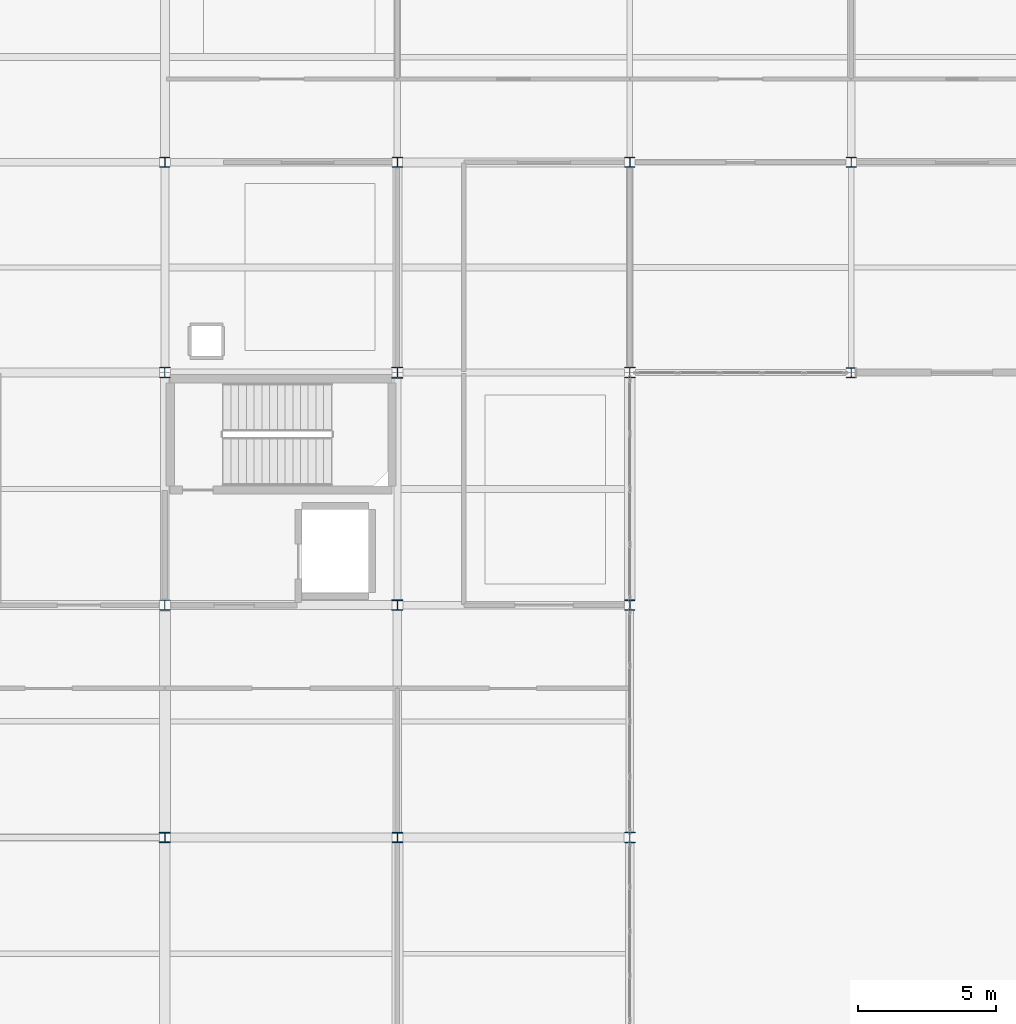
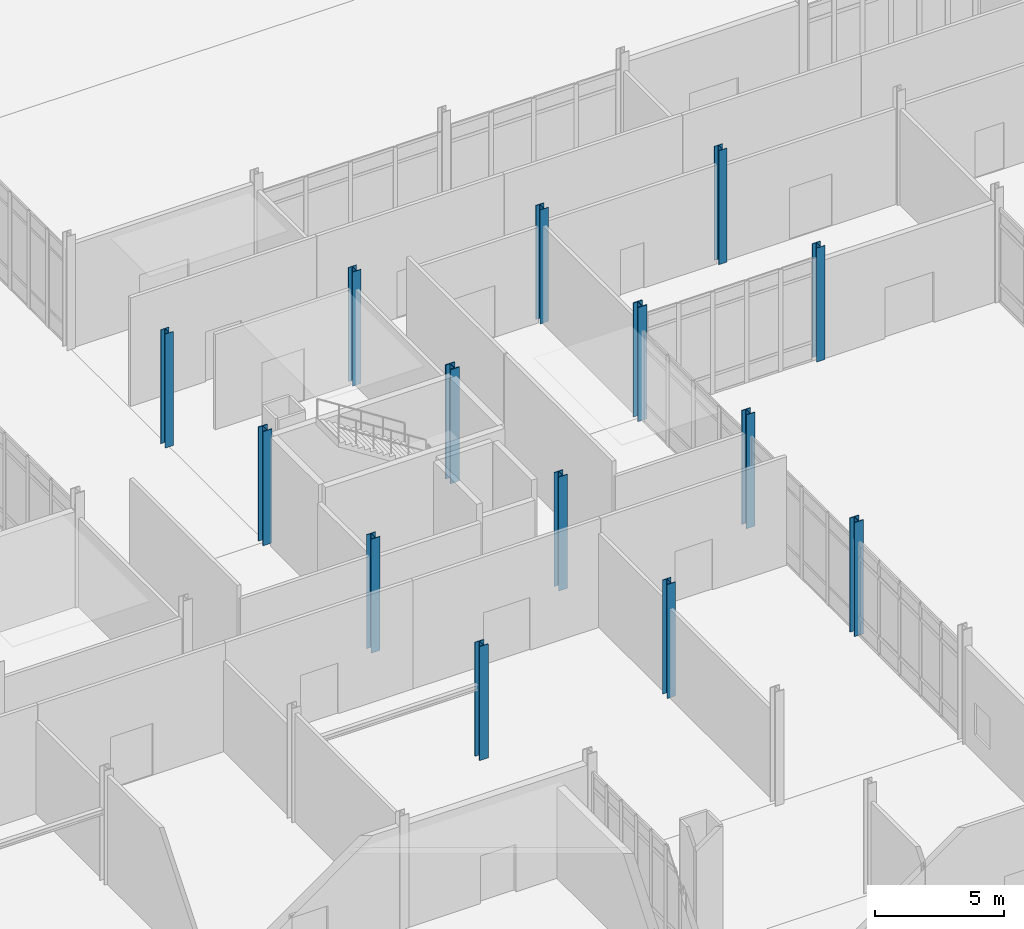
# One storey, part 6 of 229: 14 columns.
"""IFC4 building model written with IfcOpenShell, lengths in metres."""

from ifc_helpers import new_model, si_unit, direction, frame, origin, origin_2d, place, context, subcontext, project, spatial, i_section, extrude, material, material_profile, profile_set, type_object, element, save


model = new_model("IFC4")

# Units and contexts
model_context = context("Model", 3, precision=1e-05, world=origin(), true_north=direction((0.0, 1.0)))
body_context = subcontext(model_context, "Body", "Model", "MODEL_VIEW")
ifc_project = project(units=[si_unit("LENGTHUNIT", "METRE"), si_unit("AREAUNIT", "SQUARE_METRE"), si_unit("VOLUMEUNIT", "CUBIC_METRE"), si_unit("PLANEANGLEUNIT", "RADIAN"), si_unit("MASSUNIT", "GRAM", prefix="KILO")], contexts=[model_context])

# Site, building, storey
site_placement = place(None, origin())
site = spatial("IfcSite", under=ifc_project, at=site_placement, CompositionType="ELEMENT")
building_placement = place(site_placement, origin())
building = spatial("IfcBuilding", under=site, at=building_placement, Name="Calvrana Isthmian Art Gallery", CompositionType="ELEMENT")
storey_placement = place(building_placement, origin())
storey = spatial("IfcBuildingStorey", under=building, at=storey_placement, Name="L00", CompositionType="ELEMENT", Elevation=0.0)

# Columns
ifc_material = material(Name="Steel ASTM A992 Gr 50", Category="steel")
ifc_material_profile_1 = material_profile(ifc_material, i_section(OverallWidth=0.37109375, OverallDepth=0.363037109375, WebThickness=0.01318359375, FlangeThickness=0.021728515625, FilletRadius=0.02490234375, at=origin_2d()), Name="W14X109")
ifc_profile_set_1 = profile_set([ifc_material_profile_1], Name="Steel ASTM A992 Gr 50")
column_type_1 = type_object("IfcColumnType", Name="COL-STL-W14X109", PredefinedType="COLUMN", material=ifc_profile_set_1)
column_1_placement = place(storey_placement, frame((88.39990234375, 54.39990234375, 0.0), z_axis=(0.0, 0.0, 1.0), x_axis=(1.0, 0.0, 0.0)))
element("IfcColumn", 1, at=column_1_placement, inside=storey, type_object=column_type_1, Name="Column 12/H L00", PredefinedType="COLUMN", context=body_context, shape_type="SweptSolid", body=[
    extrude(i_section(OverallWidth=0.37109375, OverallDepth=0.363037109375, WebThickness=0.01318359375, FlangeThickness=0.021728515625, FilletRadius=0.02490234375, at=origin_2d()), origin(), (0.0, 0.0, 1.0), 5.39990234375),
])
ifc_material_profile_2 = material_profile(ifc_material, i_section(OverallWidth=0.373046875, OverallDepth=0.367919921875, WebThickness=0.014892578125, FlangeThickness=0.02392578125, FilletRadius=0.02490234375, at=origin_2d()), Name="W14X120")
ifc_profile_set_2 = profile_set([ifc_material_profile_2], Name="Steel ASTM A992 Gr 50")
column_type_2 = type_object("IfcColumnType", Name="COL-STL-W14X120", PredefinedType="COLUMN", material=ifc_profile_set_2)
column_2_placement = place(storey_placement, frame((80.39990234375, 54.39990234375, 0.0), z_axis=(0.0, 0.0, 1.0), x_axis=(1.0, 0.0, 0.0)))
element("IfcColumn", 2, at=column_2_placement, inside=storey, type_object=column_type_2, Name="Column 11/H L00", PredefinedType="COLUMN", context=body_context, shape_type="SweptSolid", body=[
    extrude(i_section(OverallWidth=0.373046875, OverallDepth=0.367919921875, WebThickness=0.014892578125, FlangeThickness=0.02392578125, FilletRadius=0.02490234375, at=origin_2d()), origin(), (0.0, 0.0, 1.0), 5.39990234375),
])
ifc_material_profile_3 = material_profile(ifc_material, i_section(OverallWidth=0.373046875, OverallDepth=0.373046875, WebThickness=0.016357421875, FlangeThickness=0.026123046875, FilletRadius=0.02490234375, at=origin_2d()), Name="W14X132")
ifc_profile_set_3 = profile_set([ifc_material_profile_3], Name="Steel ASTM A992 Gr 50")
column_type_3 = type_object("IfcColumnType", Name="COL-STL-W14X132", PredefinedType="COLUMN", material=ifc_profile_set_3)
for number, where, z_axis, x_axis, name in (
    (3, (72.0, 30.0, 0.0), (0.0, 0.0, 1.0), (1.0, 0.0, 0.0), "Column 10/E L00"),
    (4, (72.0, 54.39990234375, 0.0), (0.0, 0.0, 1.0), (1.0, 0.0, 0.0), "Column 10/H L00"),
    (5, (80.39990234375, 38.39990234375, 0.0), (0.0, 0.0, 1.0), (1.0, 0.0, 0.0), "Column 11/F L00"),
):
    element("IfcColumn", number, at=place(storey_placement, frame(where, z_axis=z_axis, x_axis=x_axis)), inside=storey, type_object=column_type_3, Name=name, PredefinedType="COLUMN", context=body_context, shape_type="SweptSolid", body=[
        extrude(i_section(OverallWidth=0.373046875, OverallDepth=0.373046875, WebThickness=0.016357421875, FlangeThickness=0.026123046875, FilletRadius=0.02490234375, at=origin_2d()), origin(), (0.0, 0.0, 1.0), 5.39990234375),
    ])
ifc_material_profile_4 = material_profile(ifc_material, i_section(OverallWidth=0.39404296875, OverallDepth=0.3759765625, WebThickness=0.017333984375, FlangeThickness=0.027587890625, FilletRadius=0.02490234375, at=origin_2d()), Name="W14X145")
ifc_profile_set_4 = profile_set([ifc_material_profile_4], Name="Steel ASTM A992 Gr 50")
column_type_4 = type_object("IfcColumnType", Name="COL-STL-W14X145", PredefinedType="COLUMN", material=ifc_profile_set_4)
for number, where, z_axis, x_axis, name in (
    (6, (63.60009765625, 30.0, 0.0), (0.0, 0.0, 1.0), (1.0, 0.0, 0.0), "Column 09/E L00"),
    (7, (72.0, 38.39990234375, 0.0), (0.0, 0.0, 1.0), (1.0, 0.0, 0.0), "Column 10/F L00"),
):
    element("IfcColumn", number, at=place(storey_placement, frame(where, z_axis=z_axis, x_axis=x_axis)), inside=storey, type_object=column_type_4, Name=name, PredefinedType="COLUMN", context=body_context, shape_type="SweptSolid", body=[
        extrude(i_section(OverallWidth=0.39404296875, OverallDepth=0.3759765625, WebThickness=0.017333984375, FlangeThickness=0.027587890625, FilletRadius=0.02490234375, at=origin_2d()), origin(), (0.0, 0.0, 1.0), 5.39990234375),
    ])
ifc_material_profile_5 = material_profile(ifc_material, i_section(OverallWidth=0.39599609375, OverallDepth=0.381103515625, WebThickness=0.018798828125, FlangeThickness=0.0302734375, FilletRadius=0.02490234375, at=origin_2d()), Name="W14X159")
ifc_profile_set_5 = profile_set([ifc_material_profile_5], Name="Steel ASTM A992 Gr 50")
column_type_5 = type_object("IfcColumnType", Name="COL-STL-W14X159", PredefinedType="COLUMN", material=ifc_profile_set_5)
column_3_placement = place(storey_placement, frame((63.60009765625, 38.39990234375, 0.0), z_axis=(0.0, 0.0, 1.0), x_axis=(1.0, 0.0, 0.0)))
element("IfcColumn", 8, at=column_3_placement, inside=storey, type_object=column_type_5, Name="Column 09/F L00", PredefinedType="COLUMN", context=body_context, shape_type="SweptSolid", body=[
    extrude(i_section(OverallWidth=0.39599609375, OverallDepth=0.381103515625, WebThickness=0.018798828125, FlangeThickness=0.0302734375, FilletRadius=0.02490234375, at=origin_2d()), origin(), (0.0, 0.0, 1.0), 5.39990234375),
])
ifc_material_profile_6 = material_profile(ifc_material, i_section(OverallWidth=0.39892578125, OverallDepth=0.385986328125, WebThickness=0.02099609375, FlangeThickness=0.033203125, FilletRadius=0.02490234375, at=origin_2d()), Name="W14X176")
ifc_profile_set_6 = profile_set([ifc_material_profile_6], Name="Steel ASTM A992 Gr 50")
column_type_6 = type_object("IfcColumnType", Name="COL-STL-W14X176", PredefinedType="COLUMN", material=ifc_profile_set_6)
column_4_placement = place(storey_placement, frame((80.39990234375, 30.0, 0.0), z_axis=(0.0, 0.0, 1.0), x_axis=(1.0, 0.0, 0.0)))
element("IfcColumn", 9, at=column_4_placement, inside=storey, type_object=column_type_6, Name="Column 11/E L00", PredefinedType="COLUMN", context=body_context, shape_type="SweptSolid", body=[
    extrude(i_section(OverallWidth=0.39892578125, OverallDepth=0.385986328125, WebThickness=0.02099609375, FlangeThickness=0.033203125, FilletRadius=0.02490234375, at=origin_2d()), origin(), (0.0, 0.0, 1.0), 5.39990234375),
])
ifc_material_profile_7 = material_profile(ifc_material, i_section(OverallWidth=0.39892578125, OverallDepth=0.39404296875, WebThickness=0.022705078125, FlangeThickness=0.03662109375, FilletRadius=0.02490234375, at=origin_2d()), Name="W14X193")
ifc_profile_set_7 = profile_set([ifc_material_profile_7], Name="Steel ASTM A992 Gr 50")
column_type_7 = type_object("IfcColumnType", Name="COL-STL-W14X193", PredefinedType="COLUMN", material=ifc_profile_set_7)
column_5_placement = place(storey_placement, frame((63.60009765625, 46.800048828125, 0.0), z_axis=(0.0, 0.0, 1.0), x_axis=(1.0, 0.0, 0.0)))
element("IfcColumn", 10, at=column_5_placement, inside=storey, type_object=column_type_7, Name="Column 09/G L00", PredefinedType="COLUMN", context=body_context, shape_type="SweptSolid", body=[
    extrude(i_section(OverallWidth=0.39892578125, OverallDepth=0.39404296875, WebThickness=0.022705078125, FlangeThickness=0.03662109375, FilletRadius=0.02490234375, at=origin_2d()), origin(), (0.0, 0.0, 1.0), 5.39990234375),
])
ifc_material_profile_8 = material_profile(ifc_material, i_section(OverallWidth=0.40087890625, OverallDepth=0.39892578125, WebThickness=0.02490234375, FlangeThickness=0.03955078125, FilletRadius=0.02490234375, at=origin_2d()), Name="W14X211")
ifc_profile_set_8 = profile_set([ifc_material_profile_8], Name="Steel ASTM A992 Gr 50")
column_type_8 = type_object("IfcColumnType", Name="COL-STL-W14X211", PredefinedType="COLUMN", material=ifc_profile_set_8)
column_6_placement = place(storey_placement, frame((80.39990234375, 46.800048828125, 0.0), z_axis=(0.0, 0.0, 1.0), x_axis=(1.0, 0.0, 0.0)))
element("IfcColumn", 11, at=column_6_placement, inside=storey, type_object=column_type_8, Name="Column 11/G L00", PredefinedType="COLUMN", context=body_context, shape_type="SweptSolid", body=[
    extrude(i_section(OverallWidth=0.40087890625, OverallDepth=0.39892578125, WebThickness=0.02490234375, FlangeThickness=0.03955078125, FilletRadius=0.02490234375, at=origin_2d()), origin(), (0.0, 0.0, 1.0), 5.39990234375),
])
ifc_material_profile_9 = material_profile(ifc_material, i_section(OverallWidth=0.406005859375, OverallDepth=0.4169921875, WebThickness=0.02978515625, FlangeThickness=0.048095703125, FilletRadius=0.02490234375, at=origin_2d()), Name="W14X257")
ifc_profile_set_9 = profile_set([ifc_material_profile_9], Name="Steel ASTM A992 Gr 50")
column_type_9 = type_object("IfcColumnType", Name="COL-STL-W14X257", PredefinedType="COLUMN", material=ifc_profile_set_9)
column_7_placement = place(storey_placement, frame((72.0, 46.800048828125, 0.0), z_axis=(0.0, 0.0, 1.0), x_axis=(1.0, 0.0, 0.0)))
element("IfcColumn", 12, at=column_7_placement, inside=storey, type_object=column_type_9, Name="Column 10/G L00", PredefinedType="COLUMN", context=body_context, shape_type="SweptSolid", body=[
    extrude(i_section(OverallWidth=0.406005859375, OverallDepth=0.4169921875, WebThickness=0.02978515625, FlangeThickness=0.048095703125, FilletRadius=0.02490234375, at=origin_2d()), origin(), (0.0, 0.0, 1.0), 5.39990234375),
])
ifc_material_profile_10 = material_profile(ifc_material, i_section(OverallWidth=0.367919921875, OverallDepth=0.35595703125, WebThickness=0.01123046875, FlangeThickness=0.01806640625, FilletRadius=0.02490234375, at=origin_2d()), Name="W14X90")
ifc_profile_set_10 = profile_set([ifc_material_profile_10], Name="Steel ASTM A992 Gr 50")
column_type_10 = type_object("IfcColumnType", Name="COL-STL-W14X90", PredefinedType="COLUMN", material=ifc_profile_set_10)
for number, where, z_axis, x_axis, name in (
    (13, (63.60009765625, 54.39990234375, 0.0), (0.0, 0.0, 1.0), (1.0, 0.0, 0.0), "Column 09/H L00"),
    (14, (88.39990234375, 46.800048828125, 0.0), (0.0, 0.0, 1.0), (1.0, 0.0, 0.0), "Column 12/G L00"),
):
    element("IfcColumn", number, at=place(storey_placement, frame(where, z_axis=z_axis, x_axis=x_axis)), inside=storey, type_object=column_type_10, Name=name, PredefinedType="COLUMN", context=body_context, shape_type="SweptSolid", body=[
        extrude(i_section(OverallWidth=0.367919921875, OverallDepth=0.35595703125, WebThickness=0.01123046875, FlangeThickness=0.01806640625, FilletRadius=0.02490234375, at=origin_2d()), origin(), (0.0, 0.0, 1.0), 5.39990234375),
    ])

save(model, "model.ifc")
